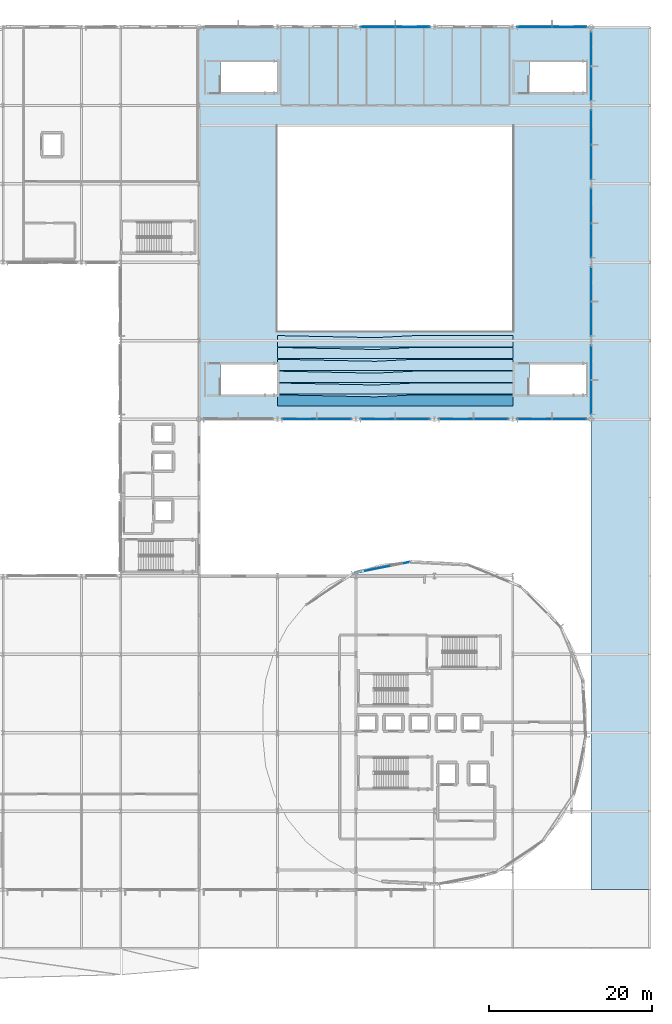
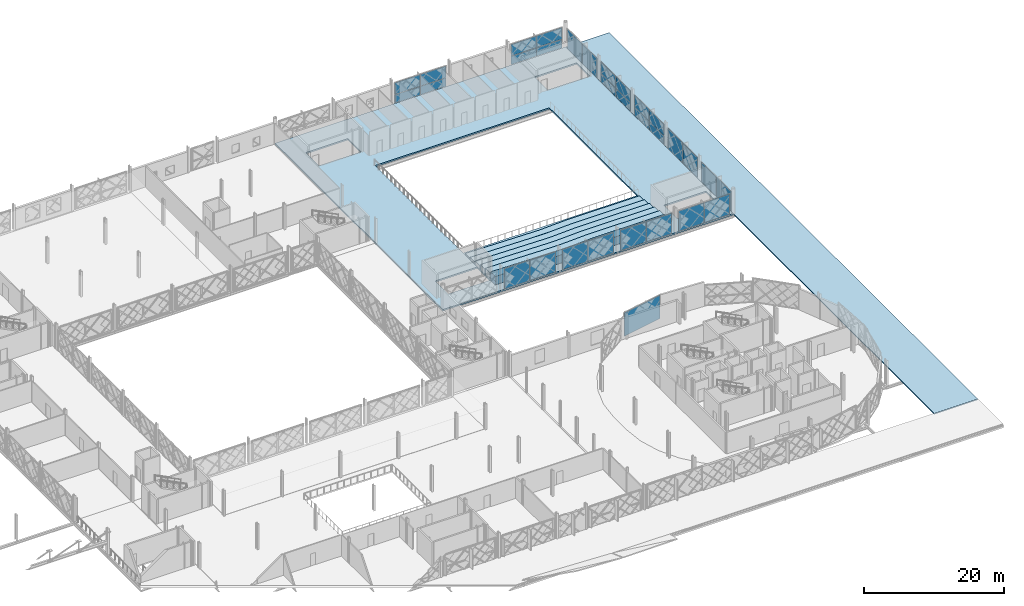
# One storey, part 63 of 101: 31 plates, 8 slabs, 12 elements without a shape of their own.
"""IFC4 building model written with IfcOpenShell, lengths in metres."""

from ifc_helpers import new_model, si_unit, direction, frame, origin, origin_2d, place, context, subcontext, project, spatial, polyline, rectangle, outline, extrude, material, layer, layer_set, type_object, element, aggregate, save


model = new_model("IFC4")

# Units and contexts
model_context = context("Model", 3, precision=1e-05, world=origin(), true_north=direction((0.0, 1.0)))
body_context = subcontext(model_context, "Body", "Model", "MODEL_VIEW")
ifc_project = project(units=[si_unit("LENGTHUNIT", "METRE"), si_unit("AREAUNIT", "SQUARE_METRE"), si_unit("VOLUMEUNIT", "CUBIC_METRE"), si_unit("PLANEANGLEUNIT", "RADIAN"), si_unit("MASSUNIT", "GRAM", prefix="KILO")], contexts=[model_context])

# Site, building, storey
site_placement = place(None, origin())
site = spatial("IfcSite", under=ifc_project, at=site_placement, CompositionType="ELEMENT")
building_placement = place(site_placement, origin())
building = spatial("IfcBuilding", under=site, at=building_placement, Name="Zevrakil Square Congress Hotel", CompositionType="ELEMENT")
storey_placement = place(building_placement, frame((0.0, 0.0, 5.39990234375)))
storey = spatial("IfcBuildingStorey", under=building, at=storey_placement, Name="L02", CompositionType="ELEMENT", Elevation=5.39990234375)

# Curtain wall, plates
ifc_material_1 = material(Name="Aluminium Anodised Bronze", Category="aluminium")
ifc_layer_1 = layer(ifc_material_1, 0.179931640625)
ifc_layer_set_1 = layer_set([ifc_layer_1], Name="Aluminium Anodised Bronze")
curtain_wall_type_1 = type_object("IfcCurtainWallType", Name="CW-L02-840", PredefinedType="USERDEFINED", material=ifc_layer_set_1)
curtain_wall_1_placement = place(storey_placement, origin())
curtain_wall_1 = element("IfcCurtainWall", 1, at=curtain_wall_1_placement, inside=storey, type_object=curtain_wall_type_1, Name="L02 diamond curtain wall CW-L02-0046", ObjectType="GLAZED CURTAIN WALL", PredefinedType="USERDEFINED")
ifc_material_2 = material(Name="Low-E Solar Control Double Glazing", Category="glass")
ifc_layer_2 = layer(ifc_material_2, 0.028076171875)
ifc_layer_set_2 = layer_set([ifc_layer_2], Name="Low-E Solar Control Double Glazing")
plate_type_1 = type_object("IfcPlateType", Name="CWP-GLAZ-28", PredefinedType="CURTAIN_PANEL", material=ifc_layer_set_2)
plate_1_placement = place(storey_placement, frame((139.47509765625, 112.800048828125, 0.06005859375), z_axis=(0.0, 0.0, 1.0), x_axis=(1.0, 0.0, 0.0)))
plate_1 = element("IfcPlate", 2, at=plate_1_placement, type_object=plate_type_1, Name="CW-23 panel 1.1", PredefinedType="CURTAIN_PANEL", context=body_context, shape_type="SweptSolid", body=[
    extrude(rectangle(XDim=4.18994140625, YDim=0.028076171875, at=origin_2d()), origin(), (0.0, 0.0, 1.0), 1.457763671875),
])
plate_2_placement = place(storey_placement, frame((143.72509765625, 112.800048828125, 1.577880859375), z_axis=(0.0, 0.0, 1.0), x_axis=(1.0, 0.0, 0.0)))
plate_2 = element("IfcPlate", 3, at=plate_2_placement, type_object=plate_type_1, Name="CW-23 panel 2.2", PredefinedType="CURTAIN_PANEL", context=body_context, shape_type="SweptSolid", body=[
    extrude(rectangle(XDim=4.18994140625, YDim=0.028076171875, at=origin_2d()), origin(), (0.0, 0.0, 1.0), 2.04736328125),
])

curtain_wall_2_placement = place(storey_placement, origin())
curtain_wall_2 = element("IfcCurtainWall", 4, at=curtain_wall_2_placement, inside=storey, type_object=curtain_wall_type_1, Name="L02 diamond curtain wall CW-L02-0048", ObjectType="GLAZED CURTAIN WALL", PredefinedType="USERDEFINED")
plate_3_placement = place(storey_placement, frame((158.675048828125, 112.800048828125, 1.577880859375), z_axis=(0.0, 0.0, 1.0), x_axis=(1.0, 0.0, 0.0)))
plate_3 = element("IfcPlate", 5, at=plate_3_placement, type_object=plate_type_1, Name="CW-23 panel 1.2", PredefinedType="CURTAIN_PANEL", context=body_context, shape_type="SweptSolid", body=[
    extrude(rectangle(XDim=4.18994140625, YDim=0.028076171875, at=origin_2d()), origin(), (0.0, 0.0, 1.0), 2.04736328125),
])
plate_4_placement = place(storey_placement, frame((162.925048828125, 112.800048828125, 1.577880859375), z_axis=(0.0, 0.0, 1.0), x_axis=(1.0, 0.0, 0.0)))
plate_4 = element("IfcPlate", 6, at=plate_4_placement, type_object=plate_type_1, Name="CW-23 panel 2.2", PredefinedType="CURTAIN_PANEL", context=body_context, shape_type="SweptSolid", body=[
    extrude(rectangle(XDim=4.18994140625, YDim=0.028076171875, at=origin_2d()), origin(), (0.0, 0.0, 1.0), 2.04736328125),
])

# Curtain wall, plate
curtain_wall_3_placement = place(storey_placement, origin())
curtain_wall_3 = element("IfcCurtainWall", 7, at=curtain_wall_3_placement, inside=storey, type_object=curtain_wall_type_1, Name="L02 diamond curtain wall CW-L02-0049", ObjectType="GLAZED CURTAIN WALL", PredefinedType="USERDEFINED")
plate_5_placement = place(storey_placement, frame((165.60009765625, 67.47509765625, 0.06005859375), z_axis=(0.0, 0.0, 1.0), x_axis=(0.0, 1.0, 0.0)))
plate_5 = element("IfcPlate", 8, at=plate_5_placement, type_object=plate_type_1, Name="CW-23 panel 1.1", PredefinedType="CURTAIN_PANEL", context=body_context, shape_type="SweptSolid", body=[
    extrude(rectangle(XDim=4.18994140625, YDim=0.028076171875, at=origin_2d()), origin(), (0.0, 0.0, 1.0), 3.455078125),
])

curtain_wall_4_placement = place(storey_placement, origin())
curtain_wall_4 = element("IfcCurtainWall", 9, at=curtain_wall_4_placement, inside=storey, type_object=curtain_wall_type_1, Name="L02 diamond curtain wall CW-L02-0051", ObjectType="GLAZED CURTAIN WALL", PredefinedType="USERDEFINED")
plate_6_placement = place(storey_placement, frame((165.60009765625, 77.074951171875, 0.06005859375), z_axis=(0.0, 0.0, 1.0), x_axis=(0.0, 1.0, 0.0)))
plate_6 = element("IfcPlate", 10, at=plate_6_placement, type_object=plate_type_1, Name="CW-23 panel 1.1", PredefinedType="CURTAIN_PANEL", context=body_context, shape_type="SweptSolid", body=[
    extrude(rectangle(XDim=4.18994140625, YDim=0.028076171875, at=origin_2d()), origin(), (0.0, 0.0, 1.0), 3.554931640625),
])

curtain_wall_5_placement = place(storey_placement, origin())
curtain_wall_5 = element("IfcCurtainWall", 11, at=curtain_wall_5_placement, inside=storey, type_object=curtain_wall_type_1, Name="L02 diamond curtain wall CW-L02-0052", ObjectType="GLAZED CURTAIN WALL", PredefinedType="USERDEFINED")
plate_7_placement = place(storey_placement, frame((165.60009765625, 90.925048828125, 0.06005859375), z_axis=(0.0, 0.0, 1.0), x_axis=(0.0, 1.0, 0.0)))
plate_7 = element("IfcPlate", 12, at=plate_7_placement, type_object=plate_type_1, Name="CW-23 panel 2.1", PredefinedType="CURTAIN_PANEL", context=body_context, shape_type="SweptSolid", body=[
    extrude(rectangle(XDim=4.18994140625, YDim=0.028076171875, at=origin_2d()), origin(), (0.0, 0.0, 1.0), 1.45361328125),
])

# Curtain wall, plates
curtain_wall_6_placement = place(storey_placement, origin())
curtain_wall_6 = element("IfcCurtainWall", 13, at=curtain_wall_6_placement, inside=storey, type_object=curtain_wall_type_1, Name="L02 diamond curtain wall CW-L02-0054", ObjectType="GLAZED CURTAIN WALL", PredefinedType="USERDEFINED")
plate_8_placement = place(storey_placement, frame((165.60009765625, 96.27490234375, 0.06005859375), z_axis=(0.0, 0.0, 1.0), x_axis=(0.0, 1.0, 0.0)))
plate_8 = element("IfcPlate", 14, at=plate_8_placement, type_object=plate_type_1, Name="CW-23 panel 1.1", PredefinedType="CURTAIN_PANEL", context=body_context, shape_type="SweptSolid", body=[
    extrude(rectangle(XDim=4.18994140625, YDim=0.028076171875, at=origin_2d()), origin(), (0.0, 0.0, 1.0), 1.45361328125),
])
plate_9_placement = place(storey_placement, frame((165.60009765625, 100.52490234375, 0.06005859375), z_axis=(0.0, 0.0, 1.0), x_axis=(0.0, 1.0, 0.0)))
plate_9 = element("IfcPlate", 15, at=plate_9_placement, type_object=plate_type_1, Name="CW-23 panel 2.1", PredefinedType="CURTAIN_PANEL", context=body_context, shape_type="SweptSolid", body=[
    extrude(rectangle(XDim=4.18994140625, YDim=0.028076171875, at=origin_2d()), origin(), (0.0, 0.0, 1.0), 1.45361328125),
])

# Curtain wall, plate
curtain_wall_7_placement = place(storey_placement, origin())
curtain_wall_7 = element("IfcCurtainWall", 16, at=curtain_wall_7_placement, inside=storey, type_object=curtain_wall_type_1, Name="L02 diamond curtain wall CW-L02-0055", ObjectType="GLAZED CURTAIN WALL", PredefinedType="USERDEFINED")
plate_10_placement = place(storey_placement, frame((165.60009765625, 110.125, 0.06005859375), z_axis=(0.0, 0.0, 1.0), x_axis=(0.0, 1.0, 0.0)))
plate_10 = element("IfcPlate", 17, at=plate_10_placement, type_object=plate_type_1, Name="CW-23 panel 2.1", PredefinedType="CURTAIN_PANEL", context=body_context, shape_type="SweptSolid", body=[
    extrude(rectangle(XDim=4.18994140625, YDim=0.028076171875, at=origin_2d()), origin(), (0.0, 0.0, 1.0), 3.455078125),
])

curtain_wall_8_placement = place(storey_placement, origin())
curtain_wall_8 = element("IfcCurtainWall", 18, at=curtain_wall_8_placement, inside=storey, type_object=curtain_wall_type_1, Name="L02 diamond curtain wall CW-L02-0059", ObjectType="GLAZED CURTAIN WALL", PredefinedType="USERDEFINED")
plate_11_placement = place(storey_placement, frame((129.875, 64.800048828125, 0.06005859375), z_axis=(0.0, 0.0, 1.0), x_axis=(1.0, 0.0, 0.0)))
plate_11 = element("IfcPlate", 19, at=plate_11_placement, type_object=plate_type_1, Name="CW-23 panel 1.1", PredefinedType="CURTAIN_PANEL", context=body_context, shape_type="SweptSolid", body=[
    extrude(rectangle(XDim=4.18994140625, YDim=0.028076171875, at=origin_2d()), origin(), (0.0, 0.0, 1.0), 3.56494140625),
])

curtain_wall_9_placement = place(storey_placement, origin())
curtain_wall_9 = element("IfcCurtainWall", 20, at=curtain_wall_9_placement, inside=storey, type_object=curtain_wall_type_1, Name="L02 diamond curtain wall CW-L02-0061", ObjectType="GLAZED CURTAIN WALL", PredefinedType="USERDEFINED")
plate_12_placement = place(storey_placement, frame((139.47509765625, 64.800048828125, 0.06005859375), z_axis=(0.0, 0.0, 1.0), x_axis=(1.0, 0.0, 0.0)))
plate_12 = element("IfcPlate", 21, at=plate_12_placement, type_object=plate_type_1, Name="CW-23 panel 1.1", PredefinedType="CURTAIN_PANEL", context=body_context, shape_type="SweptSolid", body=[
    extrude(rectangle(XDim=4.18994140625, YDim=0.028076171875, at=origin_2d()), origin(), (0.0, 0.0, 1.0), 3.56494140625),
])

curtain_wall_10_placement = place(storey_placement, origin())
curtain_wall_10 = element("IfcCurtainWall", 22, at=curtain_wall_10_placement, inside=storey, type_object=curtain_wall_type_1, Name="L02 diamond curtain wall CW-L02-0063", ObjectType="GLAZED CURTAIN WALL", PredefinedType="USERDEFINED")
plate_13_placement = place(storey_placement, frame((153.324951171875, 64.800048828125, 0.06005859375), z_axis=(0.0, 0.0, 1.0), x_axis=(1.0, 0.0, 0.0)))
plate_13 = element("IfcPlate", 23, at=plate_13_placement, type_object=plate_type_1, Name="CW-23 panel 2.1", PredefinedType="CURTAIN_PANEL", context=body_context, shape_type="SweptSolid", body=[
    extrude(rectangle(XDim=4.18994140625, YDim=0.028076171875, at=origin_2d()), origin(), (0.0, 0.0, 1.0), 3.56494140625),
])

curtain_wall_11_placement = place(storey_placement, origin())
curtain_wall_11 = element("IfcCurtainWall", 24, at=curtain_wall_11_placement, inside=storey, type_object=curtain_wall_type_1, Name="L02 diamond curtain wall CW-L02-0065", ObjectType="GLAZED CURTAIN WALL", PredefinedType="USERDEFINED")
plate_14_placement = place(storey_placement, frame((162.925048828125, 64.800048828125, 0.06005859375), z_axis=(0.0, 0.0, 1.0), x_axis=(1.0, 0.0, 0.0)))
plate_14 = element("IfcPlate", 25, at=plate_14_placement, type_object=plate_type_1, Name="CW-23 panel 2.1", PredefinedType="CURTAIN_PANEL", context=body_context, shape_type="SweptSolid", body=[
    extrude(rectangle(XDim=4.18994140625, YDim=0.028076171875, at=origin_2d()), origin(), (0.0, 0.0, 1.0), 3.56494140625),
])

ifc_material_3 = material(Name="Aluminium Anodised Bronze", Category="aluminium")
ifc_layer_3 = layer(ifc_material_3, 0.179931640625)
ifc_layer_set_3 = layer_set([ifc_layer_3], Name="Aluminium Anodised Bronze")
curtain_wall_type_2 = type_object("IfcCurtainWallType", Name="CW-L02-720", PredefinedType="USERDEFINED", material=ifc_layer_set_3)
curtain_wall_12_placement = place(storey_placement, origin())
curtain_wall_12 = element("IfcCurtainWall", 26, at=curtain_wall_12_placement, inside=storey, type_object=curtain_wall_type_2, Name="L02 diamond curtain wall CW-L02-0159", ObjectType="GLAZED CURTAIN WALL", PredefinedType="USERDEFINED")
plate_15_placement = place(storey_placement, frame((140.062744140625, 46.63720703125, 0.06005859375), z_axis=(0.0, 0.0, 1.0), x_axis=(-0.980788135848, -0.195075966178, 0.0)))
plate_15 = element("IfcPlate", 27, at=plate_15_placement, type_object=plate_type_1, Name="CW-22 panel 1.1", PredefinedType="CURTAIN_PANEL", context=body_context, shape_type="SweptSolid", body=[
    extrude(rectangle(XDim=6.77685546875, YDim=0.028076171875, at=origin_2d()), origin(), (0.0, 0.0, 1.0), 4.1201171875),
])
aggregate(curtain_wall_12, [plate_15])

# Plate
ifc_material_4 = material(Name="Basalt Grey Ribbed GRC Panel", Category="masonry")
ifc_layer_4 = layer(ifc_material_4, 0.0439453125)
ifc_layer_set_4 = layer_set([ifc_layer_4], Name="Basalt Grey Ribbed GRC Panel")
plate_type_2 = type_object("IfcPlateType", Name="CWP-GRCG-44", PredefinedType="CURTAIN_PANEL", material=ifc_layer_set_4)
plate_16_placement = place(storey_placement, frame((143.72509765625, 112.800048828125, 0.06005859375), z_axis=(0.0, 0.0, 1.0), x_axis=(1.0, 0.0, 0.0)))
plate_16 = element("IfcPlate", 28, at=plate_16_placement, type_object=plate_type_2, Name="CW-23 panel 2.1", PredefinedType="CURTAIN_PANEL", context=body_context, shape_type="SweptSolid", body=[
    extrude(rectangle(XDim=4.18994140625, YDim=0.028076171875, at=origin_2d()), origin(), (0.0, 0.0, 1.0), 1.457763671875),
])

plate_17_placement = place(storey_placement, frame((158.675048828125, 112.800048828125, 0.06005859375), z_axis=(0.0, 0.0, 1.0), x_axis=(1.0, 0.0, 0.0)))
plate_17 = element("IfcPlate", 29, at=plate_17_placement, type_object=plate_type_2, Name="CW-23 panel 1.1", PredefinedType="CURTAIN_PANEL", context=body_context, shape_type="SweptSolid", body=[
    extrude(rectangle(XDim=4.18994140625, YDim=0.028076171875, at=origin_2d()), origin(), (0.0, 0.0, 1.0), 1.457763671875),
])

plate_18_placement = place(storey_placement, frame((165.60009765625, 86.675048828125, 1.573486328125), z_axis=(0.0, 0.0, 1.0), x_axis=(0.0, 1.0, 0.0)))
plate_18 = element("IfcPlate", 30, at=plate_18_placement, type_object=plate_type_2, Name="CW-23 panel 1.2", PredefinedType="CURTAIN_PANEL", context=body_context, shape_type="SweptSolid", body=[
    extrude(rectangle(XDim=4.18994140625, YDim=0.028076171875, at=origin_2d()), origin(), (0.0, 0.0, 1.0), 2.04150390625),
])

plate_19_placement = place(storey_placement, frame((149.074951171875, 64.800048828125, 0.06005859375), z_axis=(0.0, 0.0, 1.0), x_axis=(1.0, 0.0, 0.0)))
plate_19 = element("IfcPlate", 31, at=plate_19_placement, type_object=plate_type_2, Name="CW-23 panel 1.1", PredefinedType="CURTAIN_PANEL", context=body_context, shape_type="SweptSolid", body=[
    extrude(rectangle(XDim=4.18994140625, YDim=0.028076171875, at=origin_2d()), origin(), (0.0, 0.0, 1.0), 3.56494140625),
])

aggregate(curtain_wall_10, [plate_19, plate_13])

ifc_material_5 = material(Name="White Ribbed Highland GRC Panel", Category="concrete")
ifc_layer_5 = layer(ifc_material_5, 0.0400390625)
ifc_layer_set_5 = layer_set([ifc_layer_5], Name="White Ribbed Highland GRC Panel")
plate_type_3 = type_object("IfcPlateType", Name="CWP-GRCW-40", PredefinedType="CURTAIN_PANEL", material=ifc_layer_set_5)
plate_20_placement = place(storey_placement, frame((139.47509765625, 112.800048828125, 1.577880859375), z_axis=(0.0, 0.0, 1.0), x_axis=(1.0, 0.0, 0.0)))
plate_20 = element("IfcPlate", 32, at=plate_20_placement, type_object=plate_type_3, Name="CW-23 panel 1.2", PredefinedType="CURTAIN_PANEL", context=body_context, shape_type="SweptSolid", body=[
    extrude(rectangle(XDim=4.18994140625, YDim=0.028076171875, at=origin_2d()), origin(), (0.0, 0.0, 1.0), 2.04736328125),
])

aggregate(curtain_wall_1, [plate_1, plate_20, plate_16, plate_2])

plate_21_placement = place(storey_placement, frame((162.925048828125, 112.800048828125, 0.06005859375), z_axis=(0.0, 0.0, 1.0), x_axis=(1.0, 0.0, 0.0)))
plate_21 = element("IfcPlate", 33, at=plate_21_placement, type_object=plate_type_3, Name="CW-23 panel 2.1", PredefinedType="CURTAIN_PANEL", context=body_context, shape_type="SweptSolid", body=[
    extrude(rectangle(XDim=4.18994140625, YDim=0.028076171875, at=origin_2d()), origin(), (0.0, 0.0, 1.0), 1.457763671875),
])

aggregate(curtain_wall_2, [plate_17, plate_3, plate_21, plate_4])

plate_22_placement = place(storey_placement, frame((165.60009765625, 71.72509765625, 0.06005859375), z_axis=(0.0, 0.0, 1.0), x_axis=(0.0, 1.0, 0.0)))
plate_22 = element("IfcPlate", 34, at=plate_22_placement, type_object=plate_type_3, Name="CW-23 panel 2.1", PredefinedType="CURTAIN_PANEL", context=body_context, shape_type="SweptSolid", body=[
    extrude(rectangle(XDim=4.18994140625, YDim=0.028076171875, at=origin_2d()), origin(), (0.0, 0.0, 1.0), 3.455078125),
])

aggregate(curtain_wall_3, [plate_5, plate_22])

plate_23_placement = place(storey_placement, frame((165.60009765625, 81.324951171875, 0.06005859375), z_axis=(0.0, 0.0, 1.0), x_axis=(0.0, 1.0, 0.0)))
plate_23 = element("IfcPlate", 35, at=plate_23_placement, type_object=plate_type_3, Name="CW-23 panel 2.1", PredefinedType="CURTAIN_PANEL", context=body_context, shape_type="SweptSolid", body=[
    extrude(rectangle(XDim=4.18994140625, YDim=0.028076171875, at=origin_2d()), origin(), (0.0, 0.0, 1.0), 3.554931640625),
])

aggregate(curtain_wall_4, [plate_6, plate_23])

plate_24_placement = place(storey_placement, frame((165.60009765625, 86.675048828125, 0.06005859375), z_axis=(0.0, 0.0, 1.0), x_axis=(0.0, 1.0, 0.0)))
plate_24 = element("IfcPlate", 36, at=plate_24_placement, type_object=plate_type_3, Name="CW-23 panel 1.1", PredefinedType="CURTAIN_PANEL", context=body_context, shape_type="SweptSolid", body=[
    extrude(rectangle(XDim=4.18994140625, YDim=0.028076171875, at=origin_2d()), origin(), (0.0, 0.0, 1.0), 1.45361328125),
])

plate_25_placement = place(storey_placement, frame((165.60009765625, 90.925048828125, 1.573486328125), z_axis=(0.0, 0.0, 1.0), x_axis=(0.0, 1.0, 0.0)))
plate_25 = element("IfcPlate", 37, at=plate_25_placement, type_object=plate_type_3, Name="CW-23 panel 2.2", PredefinedType="CURTAIN_PANEL", context=body_context, shape_type="SweptSolid", body=[
    extrude(rectangle(XDim=4.18994140625, YDim=0.028076171875, at=origin_2d()), origin(), (0.0, 0.0, 1.0), 2.04150390625),
])

aggregate(curtain_wall_5, [plate_24, plate_18, plate_7, plate_25])

plate_26_placement = place(storey_placement, frame((165.60009765625, 96.27490234375, 1.573486328125), z_axis=(0.0, 0.0, 1.0), x_axis=(0.0, 1.0, 0.0)))
plate_26 = element("IfcPlate", 38, at=plate_26_placement, type_object=plate_type_3, Name="CW-23 panel 1.2", PredefinedType="CURTAIN_PANEL", context=body_context, shape_type="SweptSolid", body=[
    extrude(rectangle(XDim=4.18994140625, YDim=0.028076171875, at=origin_2d()), origin(), (0.0, 0.0, 1.0), 2.04150390625),
])

plate_27_placement = place(storey_placement, frame((165.60009765625, 100.52490234375, 1.573486328125), z_axis=(0.0, 0.0, 1.0), x_axis=(0.0, 1.0, 0.0)))
plate_27 = element("IfcPlate", 39, at=plate_27_placement, type_object=plate_type_3, Name="CW-23 panel 2.2", PredefinedType="CURTAIN_PANEL", context=body_context, shape_type="SweptSolid", body=[
    extrude(rectangle(XDim=4.18994140625, YDim=0.028076171875, at=origin_2d()), origin(), (0.0, 0.0, 1.0), 2.04150390625),
])

aggregate(curtain_wall_6, [plate_8, plate_26, plate_9, plate_27])

plate_28_placement = place(storey_placement, frame((165.60009765625, 105.875, 0.06005859375), z_axis=(0.0, 0.0, 1.0), x_axis=(0.0, 1.0, 0.0)))
plate_28 = element("IfcPlate", 40, at=plate_28_placement, type_object=plate_type_3, Name="CW-23 panel 1.1", PredefinedType="CURTAIN_PANEL", context=body_context, shape_type="SweptSolid", body=[
    extrude(rectangle(XDim=4.18994140625, YDim=0.028076171875, at=origin_2d()), origin(), (0.0, 0.0, 1.0), 3.455078125),
])

aggregate(curtain_wall_7, [plate_28, plate_10])

plate_29_placement = place(storey_placement, frame((134.125, 64.800048828125, 0.06005859375), z_axis=(0.0, 0.0, 1.0), x_axis=(1.0, 0.0, 0.0)))
plate_29 = element("IfcPlate", 41, at=plate_29_placement, type_object=plate_type_3, Name="CW-23 panel 2.1", PredefinedType="CURTAIN_PANEL", context=body_context, shape_type="SweptSolid", body=[
    extrude(rectangle(XDim=4.18994140625, YDim=0.028076171875, at=origin_2d()), origin(), (0.0, 0.0, 1.0), 3.56494140625),
])

aggregate(curtain_wall_8, [plate_11, plate_29])

plate_30_placement = place(storey_placement, frame((143.72509765625, 64.800048828125, 0.06005859375), z_axis=(0.0, 0.0, 1.0), x_axis=(1.0, 0.0, 0.0)))
plate_30 = element("IfcPlate", 42, at=plate_30_placement, type_object=plate_type_3, Name="CW-23 panel 2.1", PredefinedType="CURTAIN_PANEL", context=body_context, shape_type="SweptSolid", body=[
    extrude(rectangle(XDim=4.18994140625, YDim=0.028076171875, at=origin_2d()), origin(), (0.0, 0.0, 1.0), 3.56494140625),
])

aggregate(curtain_wall_9, [plate_12, plate_30])

plate_31_placement = place(storey_placement, frame((158.675048828125, 64.800048828125, 0.06005859375), z_axis=(0.0, 0.0, 1.0), x_axis=(1.0, 0.0, 0.0)))
plate_31 = element("IfcPlate", 43, at=plate_31_placement, type_object=plate_type_3, Name="CW-23 panel 1.1", PredefinedType="CURTAIN_PANEL", context=body_context, shape_type="SweptSolid", body=[
    extrude(rectangle(XDim=4.18994140625, YDim=0.028076171875, at=origin_2d()), origin(), (0.0, 0.0, 1.0), 3.56494140625),
])

aggregate(curtain_wall_11, [plate_31, plate_14])

# Slabs
ifc_material_6 = material(Name="Concrete C35/45", Category="concrete")
ifc_layer_6 = layer(ifc_material_6, 0.2548828125)
ifc_layer_set_6 = layer_set([ifc_layer_6], Name="Concrete C35/45")
slab_type_1 = type_object("IfcSlabType", Name="SLB-DRUM-195", PredefinedType="FLOOR", material=ifc_layer_set_6)
slab_1_placement = place(storey_placement, frame((0.0, 0.0, -0.2548828125)))
element("IfcSlab", 44, at=slab_1_placement, inside=storey, type_object=slab_type_1, Name="L02 congress hall gallery and SI booth slab", PredefinedType="FLOOR", context=body_context, shape_type="SweptSolid", body=[
    extrude(outline(polyline([(117.60009765625, 64.800048828125), (165.60009765625, 64.800048828125), (165.60009765625, 112.800048828125), (117.60009765625, 112.800048828125), (117.60009765625, 64.800048828125)]), holes=[polyline([(120.2451171875, 67.800048828125), (127.199951171875, 67.800048828125), (127.199951171875, 71.550048828125), (120.2451171875, 71.550048828125), (120.2451171875, 67.800048828125)]), polyline([(158.044921875, 67.800048828125), (165.0, 67.800048828125), (165.0, 71.550048828125), (158.044921875, 71.550048828125), (158.044921875, 67.800048828125)]), polyline([(158.044921875, 104.800048828125), (165.0, 104.800048828125), (165.0, 108.550048828125), (158.044921875, 108.550048828125), (158.044921875, 104.800048828125)]), polyline([(120.2451171875, 104.800048828125), (127.199951171875, 104.800048828125), (127.199951171875, 108.550048828125), (120.2451171875, 108.550048828125), (120.2451171875, 104.800048828125)]), polyline([(127.199951171875, 75.60009765625), (156.0, 75.60009765625), (156.0, 100.800048828125), (127.199951171875, 100.800048828125), (127.199951171875, 75.60009765625)])]), origin(), (0.0, 0.0, 1.0), 0.2548828125),
])
ifc_material_7 = material(Name="Concrete C35/45", Category="concrete")
ifc_layer_7 = layer(ifc_material_7, 0.175048828125)
ifc_layer_set_7 = layer_set([ifc_layer_7], Name="Concrete C35/45")
slab_type_2 = type_object("IfcSlabType", Name="SLB-ROOF-COL-175", PredefinedType="ROOF", material=ifc_layer_set_7)
slab_2_placement = place(storey_placement, frame((0.0, 0.0, -0.1748046875)))
element("IfcSlab", 45, at=slab_2_placement, inside=storey, type_object=slab_type_2, Name="L02 civic square colonnade canopy roof COL-E", PredefinedType="ROOF", context=body_context, shape_type="SweptSolid", body=[
    extrude(outline(polyline([(165.60009765625, 112.800048828125), (172.800048828125, 112.800048828125), (172.800048828125, 7.199951171875), (165.60009765625, 7.199951171875), (165.60009765625, 112.800048828125)])), origin(), (0.0, 0.0, 1.0), 0.1748046875),
])
ifc_material_8 = material(Name="Concrete C35/45", Category="concrete")
ifc_layer_8 = layer(ifc_material_8, 0.2099609375)
ifc_layer_set_8 = layer_set([ifc_layer_8], Name="Concrete C35/45")
slab_type_3 = type_object("IfcSlabType", Name="SLB-TIER-210", PredefinedType="USERDEFINED", material=ifc_layer_set_8)
slab_3_placement = place(storey_placement, origin())
element("IfcSlab", 46, at=slab_3_placement, inside=storey, type_object=slab_type_3, Name="L02 congress upper gallery seating tier 1", ObjectType="SEATING TIER", PredefinedType="USERDEFINED", context=body_context, shape_type="SweptSolid", body=[
    extrude(outline(polyline([(127.199951171875, 66.39990234375), (156.0, 66.39990234375), (156.0, 67.780029296875), (144.0, 67.780029296875), (139.199951171875, 67.530029296875), (127.199951171875, 67.780029296875), (127.199951171875, 66.39990234375)])), origin(), (0.0, 0.0, 1.0), 1.440185546875),
])
slab_4_placement = place(storey_placement, origin())
element("IfcSlab", 47, at=slab_4_placement, inside=storey, type_object=slab_type_3, Name="L02 congress upper gallery seating tier 2", ObjectType="SEATING TIER", PredefinedType="USERDEFINED", context=body_context, shape_type="SweptSolid", body=[
    extrude(outline(polyline([(127.199951171875, 67.85009765625), (156.0, 67.85009765625), (156.0, 69.22998046875), (144.0, 69.22998046875), (139.199951171875, 68.97998046875), (127.199951171875, 69.22998046875), (127.199951171875, 67.85009765625)])), origin(), (0.0, 0.0, 1.0), 1.2001953125),
])
slab_5_placement = place(storey_placement, origin())
element("IfcSlab", 48, at=slab_5_placement, inside=storey, type_object=slab_type_3, Name="L02 congress upper gallery seating tier 3", ObjectType="SEATING TIER", PredefinedType="USERDEFINED", context=body_context, shape_type="SweptSolid", body=[
    extrude(outline(polyline([(127.199951171875, 69.300048828125), (156.0, 69.300048828125), (156.0, 70.679931640625), (144.0, 70.679931640625), (139.199951171875, 70.429931640625), (127.199951171875, 70.679931640625), (127.199951171875, 69.300048828125)])), origin(), (0.0, 0.0, 1.0), 0.960205078125),
])
slab_6_placement = place(storey_placement, origin())
element("IfcSlab", 49, at=slab_6_placement, inside=storey, type_object=slab_type_3, Name="L02 congress upper gallery seating tier 4", ObjectType="SEATING TIER", PredefinedType="USERDEFINED", context=body_context, shape_type="SweptSolid", body=[
    extrude(outline(polyline([(127.199951171875, 70.75), (156.0, 70.75), (156.0, 72.1298828125), (144.0, 72.1298828125), (139.199951171875, 71.8798828125), (127.199951171875, 72.1298828125), (127.199951171875, 70.75)])), origin(), (0.0, 0.0, 1.0), 0.72021484375),
])
slab_7_placement = place(storey_placement, origin())
element("IfcSlab", 50, at=slab_7_placement, inside=storey, type_object=slab_type_3, Name="L02 congress upper gallery seating tier 5", ObjectType="SEATING TIER", PredefinedType="USERDEFINED", context=body_context, shape_type="SweptSolid", body=[
    extrude(outline(polyline([(127.199951171875, 72.199951171875), (156.0, 72.199951171875), (156.0, 73.580078125), (144.0, 73.580078125), (139.199951171875, 73.330078125), (127.199951171875, 73.580078125), (127.199951171875, 72.199951171875)])), origin(), (0.0, 0.0, 1.0), 0.47998046875),
])
slab_8_placement = place(storey_placement, origin())
element("IfcSlab", 51, at=slab_8_placement, inside=storey, type_object=slab_type_3, Name="L02 congress upper gallery seating tier 6", ObjectType="SEATING TIER", PredefinedType="USERDEFINED", context=body_context, shape_type="SweptSolid", body=[
    extrude(outline(polyline([(127.199951171875, 73.64990234375), (156.0, 73.64990234375), (156.0, 75.030029296875), (144.0, 75.030029296875), (139.199951171875, 74.780029296875), (127.199951171875, 75.030029296875), (127.199951171875, 73.64990234375)])), origin(), (0.0, 0.0, 1.0), 0.260009765625),
])

save(model, "model.ifc")
